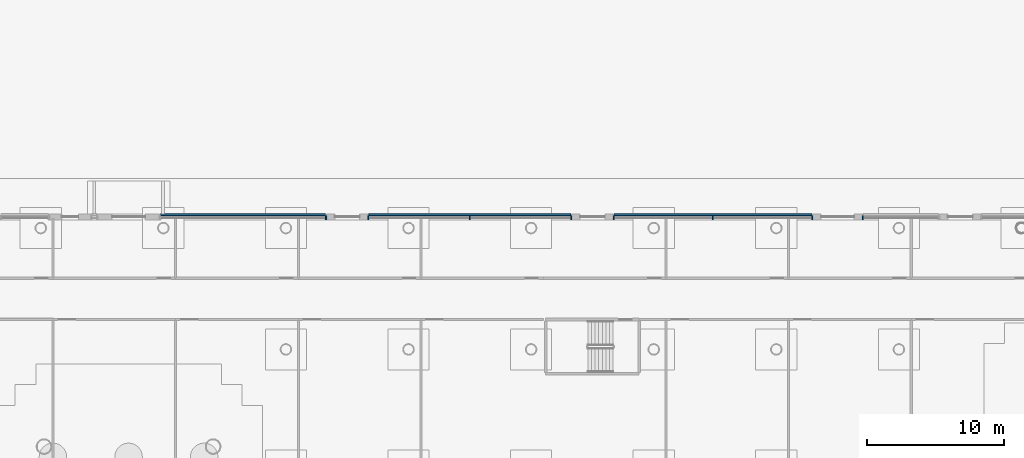
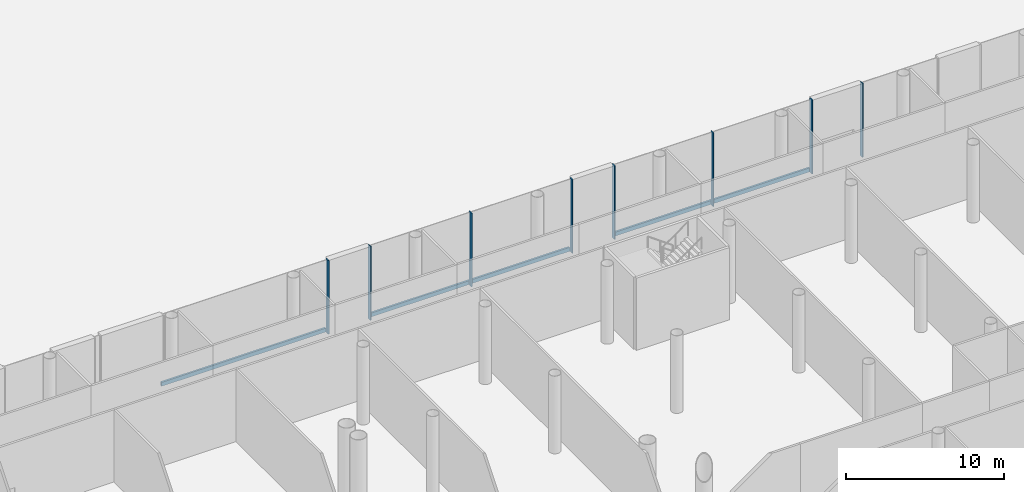
# One storey, part 12 of 75: 11 members, 4 elements without a shape of their own.
"""IFC4 building model written with IfcOpenShell, lengths in metres."""

from ifc_helpers import new_model, si_unit, direction, frame, origin, origin_2d, place, context, subcontext, project, spatial, rectangle, extrude, material, layer, layer_set, material_profile, profile_set, type_object, element, aggregate, save


model = new_model("IFC4")

# Units and contexts
model_context = context("Model", 3, precision=1e-05, world=origin(), true_north=direction((0.0, 1.0)))
body_context = subcontext(model_context, "Body", "Model", "MODEL_VIEW")
ifc_project = project(units=[si_unit("LENGTHUNIT", "METRE"), si_unit("AREAUNIT", "SQUARE_METRE"), si_unit("VOLUMEUNIT", "CUBIC_METRE"), si_unit("PLANEANGLEUNIT", "RADIAN"), si_unit("MASSUNIT", "GRAM", prefix="KILO")], contexts=[model_context])

# Site, building, storey
site_placement = place(None, origin())
site = spatial("IfcSite", under=ifc_project, at=site_placement, CompositionType="ELEMENT")
building_placement = place(site_placement, origin())
building = spatial("IfcBuilding", under=site, at=building_placement, Name="Ipe Terrace Towers", CompositionType="ELEMENT")
storey_placement = place(building_placement, origin())
storey = spatial("IfcBuildingStorey", under=building, at=storey_placement, Name="L00", CompositionType="ELEMENT", Elevation=0.0)

# Curtain wall, member
ifc_material_1 = material(Name="Aluminium alloy 6063-T6", Category="aluminium")
ifc_layer = layer(ifc_material_1, 0.43994140625)
ifc_layer_set = layer_set([ifc_layer], Name="PODIUM GLAZING CURTAIN WALL")
curtain_wall_type = type_object("IfcCurtainWallType", Name="PODIUM GLAZING CURTAIN WALL", PredefinedType="NOTDEFINED", material=ifc_layer_set)
curtain_wall_1_placement = place(storey_placement, origin())
curtain_wall_1 = element("IfcCurtainWall", 1, at=curtain_wall_1_placement, inside=storey, type_object=curtain_wall_type, Name="POD-CW-L00-01m curtain wall", PredefinedType="NOTDEFINED")
ifc_material_2 = material(Name="Aluminium alloy 6063-T6", Category="aluminium")
ifc_material_profile_1 = material_profile(ifc_material_2, rectangle(XDim=0.300048828125, YDim=0.080078125, at=origin_2d()), Name="PODIUM GLAZING MULLION 300 x 80")
ifc_profile_set_1 = profile_set([ifc_material_profile_1], Name="Aluminium alloy 6063-T6")
member_type_1 = type_object("IfcMemberType", Name="PODIUM GLAZING MULLION 300 x 80", PredefinedType="MULLION", material=ifc_profile_set_1)
member_1_placement = place(storey_placement, frame((17.429931640625, 33.89990234375, 0.0), z_axis=(0.0, 0.0, 1.0), x_axis=(0.0, 1.0, 0.0)))
member_1 = element("IfcMember", 2, at=member_1_placement, type_object=member_type_1, Name="POD-CW-L00-01m mullion 2", PredefinedType="MULLION", context=body_context, shape_type="SweptSolid", body=[
    extrude(rectangle(XDim=0.300048828125, YDim=0.080078125, at=origin_2d()), origin(), (0.0, 0.0, 1.0), 5.699951171875),
])
aggregate(curtain_wall_1, [member_1])

# Curtain wall, members
curtain_wall_2_placement = place(storey_placement, origin())
curtain_wall_2 = element("IfcCurtainWall", 3, at=curtain_wall_2_placement, inside=storey, type_object=curtain_wall_type, Name="POD-CW-L00-01o curtain wall", PredefinedType="NOTDEFINED")
member_2_placement = place(storey_placement, frame((13.75, 33.89990234375, 0.0), z_axis=(0.0, 0.0, 1.0), x_axis=(0.0, 1.0, 0.0)))
member_2 = element("IfcMember", 4, at=member_2_placement, type_object=member_type_1, Name="POD-CW-L00-01o mullion 1", PredefinedType="MULLION", context=body_context, shape_type="SweptSolid", body=[
    extrude(rectangle(XDim=0.300048828125, YDim=0.080078125, at=origin_2d()), origin(), (0.0, 0.0, 1.0), 5.699951171875),
])
member_3_placement = place(storey_placement, frame((6.52001953125, 33.89990234375, 0.0), z_axis=(0.0, 0.0, 1.0), x_axis=(0.0, 1.0, 0.0)))
member_3 = element("IfcMember", 5, at=member_3_placement, type_object=member_type_1, Name="POD-CW-L00-01o mullion 2", PredefinedType="MULLION", context=body_context, shape_type="SweptSolid", body=[
    extrude(rectangle(XDim=0.300048828125, YDim=0.080078125, at=origin_2d()), origin(), (0.0, 0.0, 1.0), 5.699951171875),
])
member_4_placement = place(storey_placement, frame((-0.7099609375, 33.89990234375, 0.0), z_axis=(0.0, 0.0, 1.0), x_axis=(0.0, 1.0, 0.0)))
member_4 = element("IfcMember", 6, at=member_4_placement, type_object=member_type_1, Name="POD-CW-L00-01o mullion 3", PredefinedType="MULLION", context=body_context, shape_type="SweptSolid", body=[
    extrude(rectangle(XDim=0.300048828125, YDim=0.080078125, at=origin_2d()), origin(), (0.0, 0.0, 1.0), 5.699951171875),
])

curtain_wall_3_placement = place(storey_placement, origin())
curtain_wall_3 = element("IfcCurtainWall", 7, at=curtain_wall_3_placement, inside=storey, type_object=curtain_wall_type, Name="POD-CW-L00-01q curtain wall", PredefinedType="NOTDEFINED")
member_5_placement = place(storey_placement, frame((-3.7900390625, 33.89990234375, 0.0), z_axis=(0.0, 0.0, 1.0), x_axis=(0.0, 1.0, 0.0)))
member_5 = element("IfcMember", 8, at=member_5_placement, type_object=member_type_1, Name="POD-CW-L00-01q mullion 1", PredefinedType="MULLION", context=body_context, shape_type="SweptSolid", body=[
    extrude(rectangle(XDim=0.300048828125, YDim=0.080078125, at=origin_2d()), origin(), (0.0, 0.0, 1.0), 5.699951171875),
])
member_6_placement = place(storey_placement, frame((-11.169921875, 33.89990234375, 0.0), z_axis=(0.0, 0.0, 1.0), x_axis=(0.0, 1.0, 0.0)))
member_6 = element("IfcMember", 9, at=member_6_placement, type_object=member_type_1, Name="POD-CW-L00-01q mullion 2", PredefinedType="MULLION", context=body_context, shape_type="SweptSolid", body=[
    extrude(rectangle(XDim=0.300048828125, YDim=0.080078125, at=origin_2d()), origin(), (0.0, 0.0, 1.0), 5.699951171875),
])
member_7_placement = place(storey_placement, frame((-18.550048828125, 33.89990234375, 0.0), z_axis=(0.0, 0.0, 1.0), x_axis=(0.0, 1.0, 0.0)))
member_7 = element("IfcMember", 10, at=member_7_placement, type_object=member_type_1, Name="POD-CW-L00-01q mullion 3", PredefinedType="MULLION", context=body_context, shape_type="SweptSolid", body=[
    extrude(rectangle(XDim=0.300048828125, YDim=0.080078125, at=origin_2d()), origin(), (0.0, 0.0, 1.0), 5.699951171875),
])

# Curtain wall, member
curtain_wall_4_placement = place(storey_placement, origin())
curtain_wall_4 = element("IfcCurtainWall", 11, at=curtain_wall_4_placement, inside=storey, type_object=curtain_wall_type, Name="POD-CW-L00-01s curtain wall", PredefinedType="NOTDEFINED")
member_8_placement = place(storey_placement, frame((-21.6298828125, 33.89990234375, 0.0), z_axis=(0.0, 0.0, 1.0), x_axis=(0.0, 1.0, 0.0)))
member_8 = element("IfcMember", 12, at=member_8_placement, type_object=member_type_1, Name="POD-CW-L00-01s mullion 1", PredefinedType="MULLION", context=body_context, shape_type="SweptSolid", body=[
    extrude(rectangle(XDim=0.300048828125, YDim=0.080078125, at=origin_2d()), origin(), (0.0, 0.0, 1.0), 5.699951171875),
])

# Member
ifc_material_3 = material(Name="Aluminium alloy 6063-T6", Category="aluminium")
ifc_material_profile_2 = material_profile(ifc_material_3, rectangle(XDim=0.139892578125, YDim=0.300048828125, at=origin_2d()), Name="PODIUM GLAZING TRANSOM 140 x 300")
ifc_profile_set_2 = profile_set([ifc_material_profile_2], Name="Aluminium alloy 6063-T6")
member_type_2 = type_object("IfcMemberType", Name="PODIUM GLAZING TRANSOM 140 x 300", PredefinedType="USERDEFINED", material=ifc_profile_set_2)
member_9_placement = place(storey_placement, frame((13.7099609375, 34.1201171875, 0.14990234375), z_axis=(-1.0, 0.0, 0.0), x_axis=(0.0, 1.0, 0.0)))
member_9 = element("IfcMember", 13, at=member_9_placement, type_object=member_type_2, Name="POD-CW-L00-01o transom", ObjectType="TRANSOM", PredefinedType="USERDEFINED", context=body_context, shape_type="SweptSolid", body=[
    extrude(rectangle(XDim=0.139892578125, YDim=0.300048828125, at=origin_2d()), origin(), (0.0, 0.0, 1.0), 14.3798828125),
])

aggregate(curtain_wall_2, [member_2, member_3, member_4, member_9])

member_10_placement = place(storey_placement, frame((-3.830078125, 34.1201171875, 0.14990234375), z_axis=(-1.0, 0.0, 0.0), x_axis=(0.0, 1.0, 0.0)))
member_10 = element("IfcMember", 14, at=member_10_placement, type_object=member_type_2, Name="POD-CW-L00-01q transom", ObjectType="TRANSOM", PredefinedType="USERDEFINED", context=body_context, shape_type="SweptSolid", body=[
    extrude(rectangle(XDim=0.139892578125, YDim=0.300048828125, at=origin_2d()), origin(), (0.0, 0.0, 1.0), 14.679931640625),
])

aggregate(curtain_wall_3, [member_5, member_6, member_7, member_10])

member_11_placement = place(storey_placement, frame((-21.669921875, 34.1201171875, 0.14990234375), z_axis=(-1.0, 0.0, 0.0), x_axis=(0.0, 1.0, 0.0)))
member_11 = element("IfcMember", 15, at=member_11_placement, type_object=member_type_2, Name="POD-CW-L00-01s transom", ObjectType="TRANSOM", PredefinedType="USERDEFINED", context=body_context, shape_type="SweptSolid", body=[
    extrude(rectangle(XDim=0.139892578125, YDim=0.300048828125, at=origin_2d()), origin(), (0.0, 0.0, 1.0), 12.0),
])

aggregate(curtain_wall_4, [member_8, member_11])

save(model, "model.ifc")
